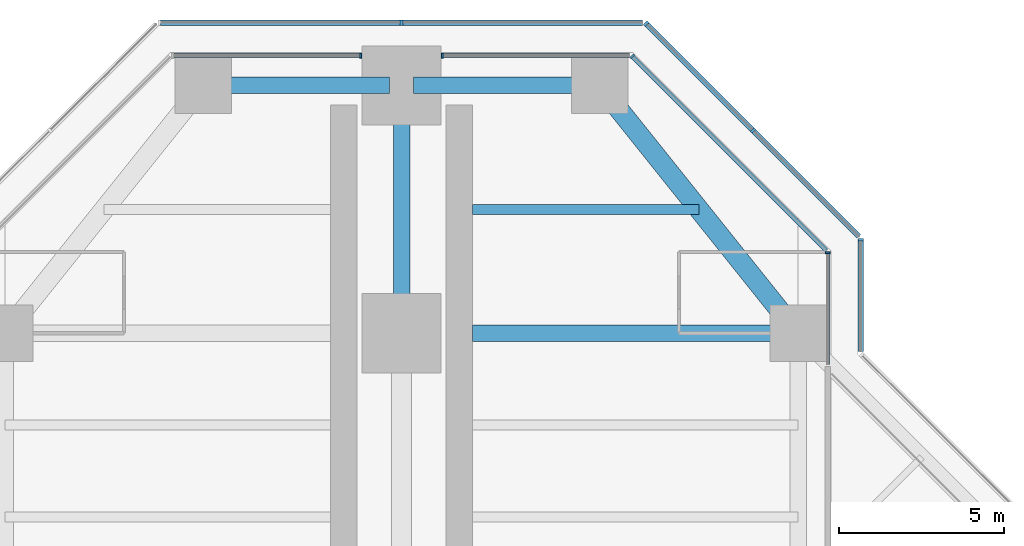
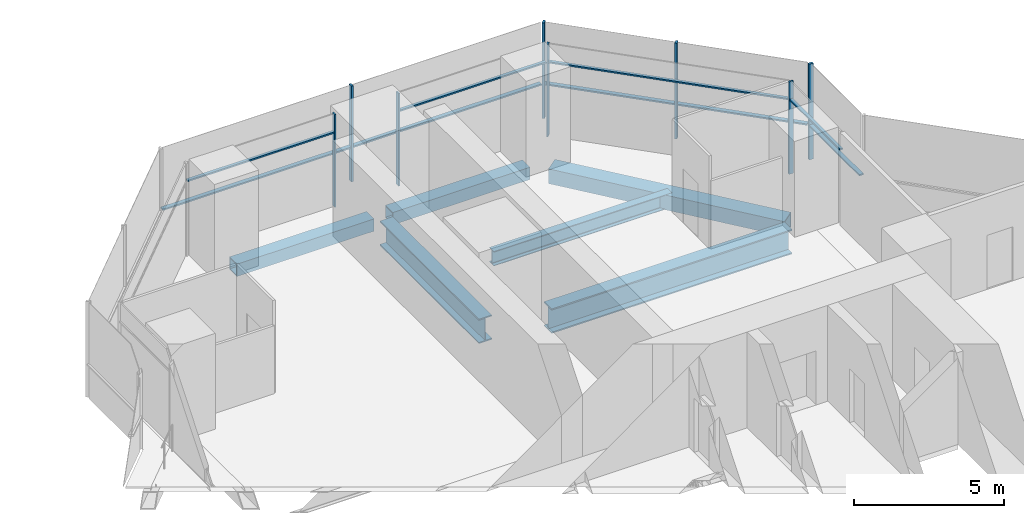
# One storey, part 10 of 20: 17 members, 6 beams, 7 elements without a shape of their own.
"""IFC4 building model written with IfcOpenShell, lengths in metres."""

from ifc_helpers import new_model, si_unit, direction, frame, origin, origin_2d, place, context, subcontext, project, spatial, rectangle, hollow_rectangle, i_section, extrude, material, material_profile, profile_set, type_object, element, aggregate, save


model = new_model("IFC4")

# Units and contexts
model_context = context("Model", 3, precision=1e-05, world=origin(), true_north=direction((0.0, 1.0)))
body_context = subcontext(model_context, "Body", "Model", "MODEL_VIEW")
ifc_project = project(units=[si_unit("LENGTHUNIT", "METRE"), si_unit("AREAUNIT", "SQUARE_METRE"), si_unit("VOLUMEUNIT", "CUBIC_METRE"), si_unit("PLANEANGLEUNIT", "RADIAN"), si_unit("MASSUNIT", "GRAM", prefix="KILO")], contexts=[model_context])

# Site, building, storey
site_placement = place(None, origin())
site = spatial("IfcSite", under=ifc_project, at=site_placement, CompositionType="ELEMENT")
building_placement = place(site_placement, origin())
building = spatial("IfcBuilding", under=site, at=building_placement, Name="Mizan Broadcast Tower", CompositionType="ELEMENT")
storey_placement = place(building_placement, frame((0.0, 0.0, 174.89990234375)))
storey = spatial("IfcBuildingStorey", under=building, at=storey_placement, Name="L40", CompositionType="ELEMENT", Elevation=174.89990234375)

# Beams
ifc_material_1 = material(Name="Steel S355", Category="steel")
ifc_material_profile_1 = material_profile(ifc_material_1, hollow_rectangle(XDim=0.5, YDim=0.5, WallThickness=0.030029296875, at=origin_2d()), Name="BOX 500x500x30")
ifc_profile_set_1 = profile_set([ifc_material_profile_1], Name="Steel S355")
beam_type_1 = type_object("IfcBeamType", Name="EDGE BEAM BOX 500x500x30", PredefinedType="SPANDREL", material=ifc_profile_set_1)
for number, where, z_axis, x_axis, name in (
    (1, (5.639892578125, 27.0, -0.3798828125), (-1.0, 0.0, 0.0), (0.0, -1.0, 0.0), "Edge beam BOX 500x500x30 L40 north arm"),
    (2, (-5.639892578125, 27.0, -0.3798828125), (1.0, 0.0, 0.0), (0.0, 1.0, 0.0), "Edge beam BOX 500x500x30 L40 north arm"),
):
    element("IfcBeam", number, at=place(storey_placement, frame(where, z_axis=z_axis, x_axis=x_axis)), inside=storey, type_object=beam_type_1, Name=name, PredefinedType="SPANDREL", context=body_context, shape_type="SweptSolid", body=[
        extrude(hollow_rectangle(XDim=0.5, YDim=0.5, WallThickness=0.030029296875, at=origin_2d()), origin(), (0.0, 0.0, 1.0), 5.27978515625),
    ])
ifc_material_2 = material(Name="Steel S355", Category="steel")
ifc_material_profile_2 = material_profile(ifc_material_2, hollow_rectangle(XDim=0.60009765625, YDim=0.60009765625, WallThickness=0.030029296875, at=origin_2d()), Name="BOX 600x600x30")
ifc_profile_set_2 = profile_set([ifc_material_profile_2], Name="Steel S355")
beam_type_2 = type_object("IfcBeamType", Name="EDGE BEAM BOX 600x600x30", PredefinedType="SPANDREL", material=ifc_profile_set_2)
beam_1_placement = place(storey_placement, frame((11.639892578125, 19.949951171875, -0.429931640625), z_axis=(-0.624673911726, 0.780885717636, 0.0), x_axis=(-0.780885717636, -0.624673911726, 0.0)))
element("IfcBeam", 3, at=beam_1_placement, inside=storey, type_object=beam_type_2, Name="Edge beam BOX 600x600x30 L40 north arm", PredefinedType="SPANDREL", context=body_context, shape_type="SweptSolid", body=[
    extrude(hollow_rectangle(XDim=0.60009765625, YDim=0.60009765625, WallThickness=0.030029296875, at=origin_2d()), origin(), (0.0, 0.0, 1.0), 8.4521484375),
])
ifc_material_3 = material(Name="Steel S460", Category="steel")
ifc_material_profile_3 = material_profile(ifc_material_3, i_section(OverallWidth=0.5, OverallDepth=1.0, WebThickness=0.02490234375, FlangeThickness=0.050048828125, at=origin_2d()), Name="WPG 1000x500")
ifc_profile_set_3 = profile_set([ifc_material_profile_3], Name="Steel S460")
beam_type_3 = type_object("IfcBeamType", Name="GIRDER WPG 1000x500", PredefinedType="BEAM", material=ifc_profile_set_3)
beam_2_placement = place(storey_placement, frame((0.0, 19.949951171875, -0.6298828125), z_axis=(0.0, 1.0, 0.0), x_axis=(-1.0, 0.0, 0.0)))
element("IfcBeam", 4, at=beam_2_placement, inside=storey, type_object=beam_type_3, Name="Girder WPG 1000x500 L40 north arm", PredefinedType="BEAM", context=body_context, shape_type="SweptSolid", body=[
    extrude(i_section(OverallWidth=0.5, OverallDepth=1.0, WebThickness=0.02490234375, FlangeThickness=0.050048828125, at=origin_2d()), origin(), (0.0, 0.0, 1.0), 6.60009765625),
])
beam_3_placement = place(storey_placement, frame((11.408935546875, 19.5, -0.6298828125), z_axis=(-1.0, 0.0, 0.0), x_axis=(0.0, -1.0, 0.0)))
element("IfcBeam", 5, at=beam_3_placement, inside=storey, type_object=beam_type_3, Name="Girder WPG 1000x500 L40 north arm", PredefinedType="BEAM", context=body_context, shape_type="SweptSolid", body=[
    extrude(i_section(OverallWidth=0.5, OverallDepth=1.0, WebThickness=0.02490234375, FlangeThickness=0.050048828125, at=origin_2d()), origin(), (0.0, 0.0, 1.0), 9.259033203125),
])

# Curtain wall, member
ifc_material_4 = material(Name="Aluminium framed glazing", Category="aluminium")
curtain_wall_type_1 = type_object("IfcCurtainWallType", Name="INNER SKIN MID ZONE", PredefinedType="USERDEFINED", material=ifc_material_4)
curtain_wall_1_placement = place(storey_placement, origin())
curtain_wall_1 = element("IfcCurtainWall", 6, at=curtain_wall_1_placement, inside=storey, type_object=curtain_wall_type_1, Name="Inner skin mid zone L40 N side", ObjectType="INNER SKIN MID ZONE", PredefinedType="USERDEFINED")
ifc_material_5 = material(Name="Aluminium, pale anodised", Category="aluminium")
ifc_material_profile_4 = material_profile(ifc_material_5, rectangle(XDim=0.159912109375, YDim=0.06005859375, at=origin_2d()), Name="MULLION 160x60")
ifc_profile_set_4 = profile_set([ifc_material_profile_4], Name="Aluminium, pale anodised")
member_type_1 = type_object("IfcMemberType", Name="INNER SKIN MULLION 60x160", PredefinedType="MULLION", material=ifc_profile_set_4)
member_1_placement = place(storey_placement, frame((12.89990234375, 21.928466796875, 0.0), z_axis=(0.0, 0.0, 1.0), x_axis=(-1.0, 0.0, 0.0)))
member_1 = element("IfcMember", 7, at=member_1_placement, type_object=member_type_1, Name="Inner skin mid zone L40 N side mullion 2", PredefinedType="MULLION", context=body_context, shape_type="SweptSolid", body=[
    extrude(rectangle(XDim=0.159912109375, YDim=0.06005859375, at=origin_2d()), origin(), (0.0, 0.0, 1.0), 3.77001953125),
])

curtain_wall_2_placement = place(storey_placement, origin())
curtain_wall_2 = element("IfcCurtainWall", 8, at=curtain_wall_2_placement, inside=storey, type_object=curtain_wall_type_1, Name="Inner skin mid zone L40 N chamfer", ObjectType="INNER SKIN MID ZONE", PredefinedType="USERDEFINED")
member_2_placement = place(storey_placement, frame((6.979736328125, 27.87890625, 0.0), z_axis=(0.0, 0.0, 1.0), x_axis=(-0.707106781187, -0.707106781187, 0.0)))
member_2 = element("IfcMember", 9, at=member_2_placement, type_object=member_type_1, Name="Inner skin mid zone L40 N chamfer mullion 2", PredefinedType="MULLION", context=body_context, shape_type="SweptSolid", body=[
    extrude(rectangle(XDim=0.159912109375, YDim=0.06005859375, at=origin_2d()), origin(), (0.0, 0.0, 1.0), 3.77001953125),
])

curtain_wall_3_placement = place(storey_placement, origin())
curtain_wall_3 = element("IfcCurtainWall", 10, at=curtain_wall_3_placement, inside=storey, type_object=curtain_wall_type_1, Name="Inner skin mid zone L40 N end", ObjectType="INNER SKIN MID ZONE", PredefinedType="USERDEFINED")
member_3_placement = place(storey_placement, frame((1.22998046875, 27.89990234375, 0.0), z_axis=(0.0, 0.0, 1.0), x_axis=(0.0, -1.0, 0.0)))
member_3 = element("IfcMember", 11, at=member_3_placement, type_object=member_type_1, Name="Inner skin mid zone L40 N end mullion 2", PredefinedType="MULLION", context=body_context, shape_type="SweptSolid", body=[
    extrude(rectangle(XDim=0.159912109375, YDim=0.06005859375, at=origin_2d()), origin(), (0.0, 0.0, 1.0), 3.77001953125),
])

curtain_wall_4_placement = place(storey_placement, origin())
curtain_wall_4 = element("IfcCurtainWall", 12, at=curtain_wall_4_placement, inside=storey, type_object=curtain_wall_type_1, Name="Inner skin mid zone L40 N end", ObjectType="INNER SKIN MID ZONE", PredefinedType="USERDEFINED")
member_4_placement = place(storey_placement, frame((-1.22998046875, 27.89990234375, 0.0), z_axis=(0.0, 0.0, 1.0), x_axis=(0.0, -1.0, 0.0)))
member_4 = element("IfcMember", 13, at=member_4_placement, type_object=member_type_1, Name="Inner skin mid zone L40 N end mullion 1", PredefinedType="MULLION", context=body_context, shape_type="SweptSolid", body=[
    extrude(rectangle(XDim=0.159912109375, YDim=0.06005859375, at=origin_2d()), origin(), (0.0, 0.0, 1.0), 3.77001953125),
])

# Member
ifc_material_6 = material(Name="Aluminium, pale anodised", Category="aluminium")
ifc_material_profile_5 = material_profile(ifc_material_6, rectangle(XDim=0.1201171875, YDim=0.06005859375, at=origin_2d()), Name="TRANSOM 120x60")
ifc_profile_set_5 = profile_set([ifc_material_profile_5], Name="Aluminium, pale anodised")
member_type_2 = type_object("IfcMemberType", Name="INNER SKIN TRANSOM 60x120", PredefinedType="USERDEFINED", material=ifc_profile_set_5)
member_5_placement = place(storey_placement, frame((12.89990234375, 18.56005859375, 3.030029296875), z_axis=(0.0, 1.0, 0.0), x_axis=(-1.0, 0.0, 0.0)))
member_5 = element("IfcMember", 14, at=member_5_placement, type_object=member_type_2, Name="Inner skin mid zone L40 N side transom 1.1", ObjectType="TRANSOM", PredefinedType="USERDEFINED", context=body_context, shape_type="SweptSolid", body=[
    extrude(rectangle(XDim=0.1201171875, YDim=0.06005859375, at=origin_2d()), origin(), (0.0, 0.0, 1.0), 3.338623046875),
])

aggregate(curtain_wall_1, [member_1, member_5])

member_6_placement = place(storey_placement, frame((12.857666015625, 22.0009765625, 3.030029296875), z_axis=(-0.707106781187, 0.707106781187, 0.0), x_axis=(-0.707106781187, -0.707106781187, 0.0)))
member_6 = element("IfcMember", 15, at=member_6_placement, type_object=member_type_2, Name="Inner skin mid zone L40 N chamfer transom 1.1", ObjectType="TRANSOM", PredefinedType="USERDEFINED", context=body_context, shape_type="SweptSolid", body=[
    extrude(rectangle(XDim=0.1201171875, YDim=0.06005859375, at=origin_2d()), origin(), (0.0, 0.0, 1.0), 8.28271484375),
])

aggregate(curtain_wall_2, [member_2, member_6])

member_7_placement = place(storey_placement, frame((6.898681640625, 27.89990234375, 3.030029296875), z_axis=(-1.0, 0.0, 0.0), x_axis=(0.0, -1.0, 0.0)))
member_7 = element("IfcMember", 16, at=member_7_placement, type_object=member_type_2, Name="Inner skin mid zone L40 N end transom 1.1", ObjectType="TRANSOM", PredefinedType="USERDEFINED", context=body_context, shape_type="SweptSolid", body=[
    extrude(rectangle(XDim=0.1201171875, YDim=0.06005859375, at=origin_2d()), origin(), (0.0, 0.0, 1.0), 5.638671875),
])

aggregate(curtain_wall_3, [member_3, member_7])

member_8_placement = place(storey_placement, frame((-1.260009765625, 27.89990234375, 3.030029296875), z_axis=(-1.0, 0.0, 0.0), x_axis=(0.0, -1.0, 0.0)))
member_8 = element("IfcMember", 17, at=member_8_placement, type_object=member_type_2, Name="Inner skin mid zone L40 N end transom 1.1", ObjectType="TRANSOM", PredefinedType="USERDEFINED", context=body_context, shape_type="SweptSolid", body=[
    extrude(rectangle(XDim=0.1201171875, YDim=0.06005859375, at=origin_2d()), origin(), (0.0, 0.0, 1.0), 5.638671875),
])

aggregate(curtain_wall_4, [member_4, member_8])

# Curtain wall, member
ifc_material_7 = material(Name="Aluminium framed glazing", Category="aluminium")
curtain_wall_type_2 = type_object("IfcCurtainWallType", Name="OUTER SKIN", PredefinedType="USERDEFINED", material=ifc_material_7)
curtain_wall_5_placement = place(storey_placement, origin())
curtain_wall_5 = element("IfcCurtainWall", 18, at=curtain_wall_5_placement, inside=storey, type_object=curtain_wall_type_2, Name="Outer skin L40 N side", ObjectType="OUTER SKIN", PredefinedType="USERDEFINED")
ifc_material_8 = material(Name="Aluminium, pale anodised", Category="aluminium")
ifc_material_profile_6 = material_profile(ifc_material_8, rectangle(XDim=0.159912109375, YDim=0.080078125, at=origin_2d()), Name="MULLION 160x80")
ifc_profile_set_6 = profile_set([ifc_material_profile_6], Name="Aluminium, pale anodised")
member_type_3 = type_object("IfcMemberType", Name="OUTER SKIN MULLION 80x160", PredefinedType="MULLION", material=ifc_profile_set_6)
member_9_placement = place(storey_placement, frame((13.89990234375, 22.332763671875, 0.0), z_axis=(0.0, 0.0, 1.0), x_axis=(-1.0, 0.0, 0.0)))
member_9 = element("IfcMember", 19, at=member_9_placement, type_object=member_type_3, Name="Outer skin L40 N side mullion 2", PredefinedType="MULLION", context=body_context, shape_type="SweptSolid", body=[
    extrude(rectangle(XDim=0.159912109375, YDim=0.080078125, at=origin_2d()), origin(), (0.0, 0.0, 1.0), 3.900146484375),
])

# Curtain wall, members
curtain_wall_6_placement = place(storey_placement, origin())
curtain_wall_6 = element("IfcCurtainWall", 20, at=curtain_wall_6_placement, inside=storey, type_object=curtain_wall_type_2, Name="Outer skin L40 N chamfer", ObjectType="OUTER SKIN", PredefinedType="USERDEFINED")
member_10_placement = place(storey_placement, frame((10.636474609375, 25.636474609375, 0.0), z_axis=(0.0, 0.0, 1.0), x_axis=(-0.707106781187, -0.707106781187, 0.0)))
member_10 = element("IfcMember", 21, at=member_10_placement, type_object=member_type_3, Name="Outer skin L40 N chamfer mullion 2", PredefinedType="MULLION", context=body_context, shape_type="SweptSolid", body=[
    extrude(rectangle(XDim=0.159912109375, YDim=0.080078125, at=origin_2d()), origin(), (0.0, 0.0, 1.0), 3.900146484375),
])
member_11_placement = place(storey_placement, frame((7.401123046875, 28.871826171875, 0.0), z_axis=(0.0, 0.0, 1.0), x_axis=(-0.707106781187, -0.707106781187, 0.0)))
member_11 = element("IfcMember", 22, at=member_11_placement, type_object=member_type_3, Name="Outer skin L40 N chamfer mullion 3", PredefinedType="MULLION", context=body_context, shape_type="SweptSolid", body=[
    extrude(rectangle(XDim=0.159912109375, YDim=0.080078125, at=origin_2d()), origin(), (0.0, 0.0, 1.0), 3.900146484375),
])

# Curtain wall, member
curtain_wall_7_placement = place(storey_placement, origin())
curtain_wall_7 = element("IfcCurtainWall", 23, at=curtain_wall_7_placement, inside=storey, type_object=curtain_wall_type_2, Name="Outer skin L40 N end", ObjectType="OUTER SKIN", PredefinedType="USERDEFINED")
member_12_placement = place(storey_placement, frame((0.0, 28.89990234375, 0.0), z_axis=(0.0, 0.0, 1.0), x_axis=(0.0, -1.0, 0.0)))
member_12 = element("IfcMember", 24, at=member_12_placement, type_object=member_type_3, Name="Outer skin L40 N end mullion 2", PredefinedType="MULLION", context=body_context, shape_type="SweptSolid", body=[
    extrude(rectangle(XDim=0.159912109375, YDim=0.080078125, at=origin_2d()), origin(), (0.0, 0.0, 1.0), 3.900146484375),
])

# Member
ifc_material_9 = material(Name="Aluminium, pale anodised", Category="aluminium")
ifc_material_profile_7 = material_profile(ifc_material_9, rectangle(XDim=0.159912109375, YDim=0.06005859375, at=origin_2d()), Name="TRANSOM 160x60")
ifc_profile_set_7 = profile_set([ifc_material_profile_7], Name="Aluminium, pale anodised")
member_type_4 = type_object("IfcMemberType", Name="OUTER SKIN TRANSOM 60x160", PredefinedType="USERDEFINED", material=ifc_profile_set_7)
member_13_placement = place(storey_placement, frame((13.89990234375, 18.952880859375, 1.400146484375), z_axis=(0.0, 1.0, 0.0), x_axis=(-1.0, 0.0, 0.0)))
member_13 = element("IfcMember", 25, at=member_13_placement, type_object=member_type_4, Name="Outer skin L40 N side transom 1.1", ObjectType="TRANSOM", PredefinedType="USERDEFINED", context=body_context, shape_type="SweptSolid", body=[
    extrude(rectangle(XDim=0.159912109375, YDim=0.06005859375, at=origin_2d()), origin(), (0.0, 0.0, 1.0), 3.33984375),
])

aggregate(curtain_wall_5, [member_9, member_13])

member_14_placement = place(storey_placement, frame((13.843505859375, 22.429443359375, 1.400146484375), z_axis=(-0.707106781187, 0.707106781187, 0.0), x_axis=(-0.707106781187, -0.707106781187, 0.0)))
member_14 = element("IfcMember", 26, at=member_14_placement, type_object=member_type_4, Name="Outer skin L40 N chamfer transom 1.1", ObjectType="TRANSOM", PredefinedType="USERDEFINED", context=body_context, shape_type="SweptSolid", body=[
    extrude(rectangle(XDim=0.159912109375, YDim=0.06005859375, at=origin_2d()), origin(), (0.0, 0.0, 1.0), 4.495361328125),
])

member_15_placement = place(storey_placement, frame((10.608154296875, 25.664794921875, 1.400146484375), z_axis=(-0.707106781187, 0.707106781187, 0.0), x_axis=(-0.707106781187, -0.707106781187, 0.0)))
member_15 = element("IfcMember", 27, at=member_15_placement, type_object=member_type_4, Name="Outer skin L40 N chamfer transom 2.1", ObjectType="TRANSOM", PredefinedType="USERDEFINED", context=body_context, shape_type="SweptSolid", body=[
    extrude(rectangle(XDim=0.159912109375, YDim=0.06005859375, at=origin_2d()), origin(), (0.0, 0.0, 1.0), 4.495361328125),
])

aggregate(curtain_wall_6, [member_10, member_11, member_14, member_15])

member_16_placement = place(storey_placement, frame((7.292724609375, 28.89990234375, 1.400146484375), z_axis=(-1.0, 0.0, 0.0), x_axis=(0.0, -1.0, 0.0)))
member_16 = element("IfcMember", 28, at=member_16_placement, type_object=member_type_4, Name="Outer skin L40 N end transom 1.1", ObjectType="TRANSOM", PredefinedType="USERDEFINED", context=body_context, shape_type="SweptSolid", body=[
    extrude(rectangle(XDim=0.159912109375, YDim=0.06005859375, at=origin_2d()), origin(), (0.0, 0.0, 1.0), 7.252685546875),
])

member_17_placement = place(storey_placement, frame((-0.0400390625, 28.89990234375, 1.400146484375), z_axis=(-1.0, 0.0, 0.0), x_axis=(0.0, -1.0, 0.0)))
member_17 = element("IfcMember", 29, at=member_17_placement, type_object=member_type_4, Name="Outer skin L40 N end transom 2.1", ObjectType="TRANSOM", PredefinedType="USERDEFINED", context=body_context, shape_type="SweptSolid", body=[
    extrude(rectangle(XDim=0.159912109375, YDim=0.06005859375, at=origin_2d()), origin(), (0.0, 0.0, 1.0), 7.252685546875),
])

aggregate(curtain_wall_7, [member_12, member_16, member_17])

# Beam
ifc_material_10 = material(Name="Steel S355", Category="steel")
ifc_material_profile_8 = material_profile(ifc_material_10, i_section(OverallWidth=0.300048828125, OverallDepth=0.590087890625, WebThickness=0.012939453125, FlangeThickness=0.02490234375, FilletRadius=0.027099609375, at=origin_2d()), Name="HEA 600")
ifc_profile_set_8 = profile_set([ifc_material_profile_8], Name="Steel S355")
beam_type_4 = type_object("IfcBeamType", Name="SECONDARY BEAM HEA 600", PredefinedType="JOIST", material=ifc_profile_set_8)
beam_4_placement = place(storey_placement, frame((9.0, 23.25, -0.4248046875), z_axis=(-1.0, 0.0, 0.0), x_axis=(0.0, -1.0, 0.0)))
element("IfcBeam", 30, at=beam_4_placement, inside=storey, type_object=beam_type_4, Name="Secondary beam HEA 600 L40 north arm", PredefinedType="JOIST", context=body_context, shape_type="SweptSolid", body=[
    extrude(i_section(OverallWidth=0.300048828125, OverallDepth=0.590087890625, WebThickness=0.012939453125, FlangeThickness=0.02490234375, FilletRadius=0.027099609375, at=origin_2d()), origin(), (0.0, 0.0, 1.0), 6.85009765625),
])

save(model, "model.ifc")
